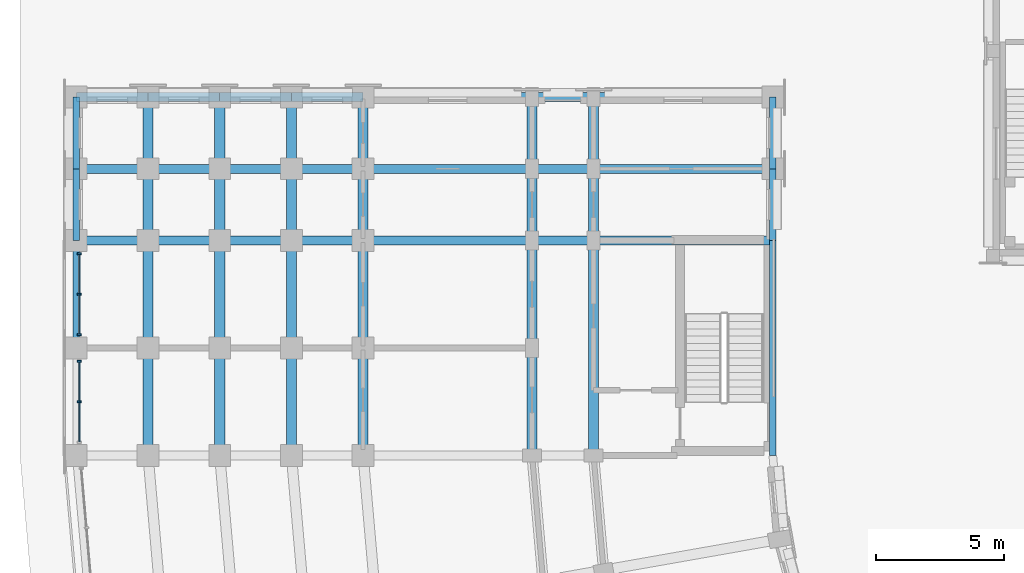
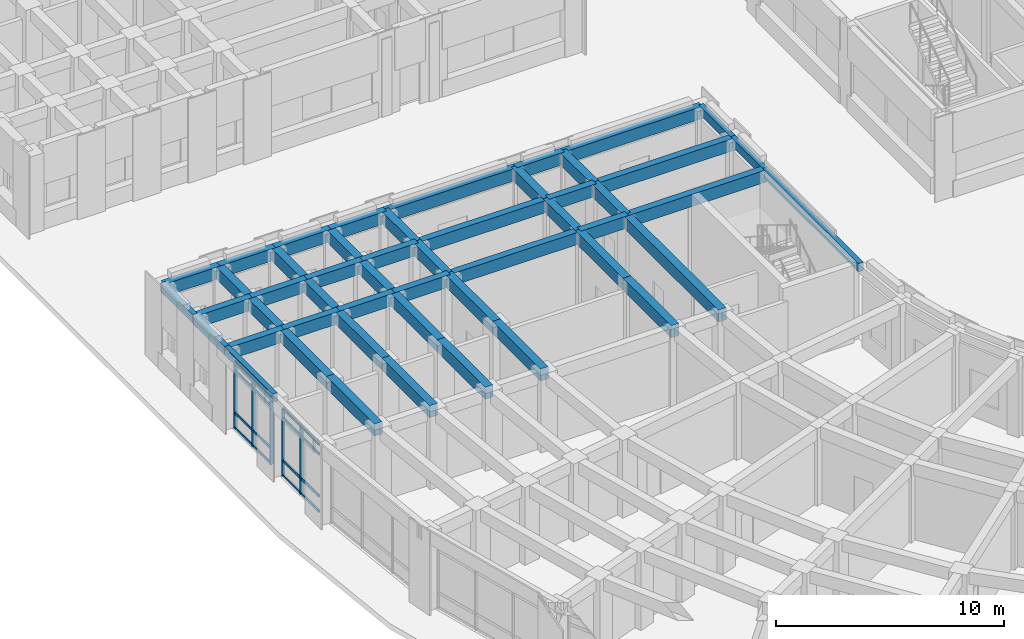
# One storey, part 21 of 135: 50 beams, 13 members, 2 elements without a shape of their own.
"""IFC4 building model written with IfcOpenShell, lengths in metres."""

import ifcopenshell
import ifcopenshell.guid

model = None  # the IFC model being written
_history = None  # IfcOwnerHistory: only IFC2X3 demands one
_inside = {}  # id of a spatial element -> (the spatial element, [elements in it])
_under = {}  # id of a project, library or spatial element -> (it, [spatial elements below it])
_declared = {}  # id of a project -> (the project, [libraries it declares])
_typed = {}  # id of a type object -> (the type object, [elements of that type])
_made_of = {}  # id of a material, layer set ... -> (it, [elements and type objects made of it])


def new_model(schema):
    """Start an empty IFC model of exactly this schema.

    Asked for "IFC4X3", IfcOpenShell would pick the latest addendum, in which some entities
    have other attributes; the version numbers below select the first issue.
    IFC2X3 requires an IfcOwnerHistory on every rooted entity: one is made here for all.
    """
    global model, _history
    if schema == "IFC4X3":
        model = ifcopenshell.file(schema_version=(4, 3, 0, 0))
    else:
        model = ifcopenshell.file(schema=schema)
    _inside.clear()
    _under.clear()
    _declared.clear()
    _typed.clear()
    _made_of.clear()
    _history = None
    if model.schema == "IFC2X3":
        org = make("IfcOrganization", Name="unknown")
        user = make(
            "IfcPersonAndOrganization",
            ThePerson=make("IfcPerson", FamilyName="unknown"),
            TheOrganization=org,
        )
        app = make(
            "IfcApplication",
            ApplicationDeveloper=org,
            Version="unknown",
            ApplicationFullName="unknown",
            ApplicationIdentifier="unknown",
        )
        _history = make(
            "IfcOwnerHistory",
            OwningUser=user,
            OwningApplication=app,
            ChangeAction="ADDED",
            CreationDate=0,
        )
    return model


def make(cls, **values):
    """One entity of the class cls with the attributes given. An attribute that is None is left unset."""
    return model.create_entity(
        cls, **{name: value for name, value in values.items() if value is not None}
    )


def rooted(cls, **values):
    """An entity with a GlobalId (a new one), such as an element, a storey or a relation."""
    return make(cls, GlobalId=ifcopenshell.guid.new(), OwnerHistory=_history, **values)


def si_unit(unit_type, name, prefix=None):
    """IfcSIUnit, for example si_unit("LENGTHUNIT", "METRE", prefix="MILLI")."""
    return make("IfcSIUnit", UnitType=unit_type, Prefix=prefix, Name=name)


def assignment(units):
    """IfcUnitAssignment: the units of a project."""
    return None if units is None else make("IfcUnitAssignment", Units=units)


def point(xyz):
    """IfcCartesianPoint."""
    return None if xyz is None else make("IfcCartesianPoint", Coordinates=xyz)


def direction(xyz):
    """IfcDirection."""
    return None if xyz is None else make("IfcDirection", DirectionRatios=xyz)


def frame(location, z_axis=None, x_axis=None):
    """IfcAxis2Placement3D, a coordinate frame: its origin and axes. An axis left out is left unset."""
    return make(
        "IfcAxis2Placement3D",
        Location=point(location),
        Axis=direction(z_axis),
        RefDirection=direction(x_axis),
    )


def frame_2d(location, x_axis=None):
    """IfcAxis2Placement2D, a coordinate frame in the plane: its origin and x axis."""
    return make(
        "IfcAxis2Placement2D", Location=point(location), RefDirection=direction(x_axis)
    )


def origin():
    """The frame at (0, 0, 0) with its axes left unset."""
    return frame((0.0, 0.0, 0.0))


def origin_2d():
    """The frame at (0, 0) in the plane with its x axis left unset."""
    return frame_2d((0.0, 0.0))


def place(relative_to, where):
    """IfcLocalPlacement: puts the frame where relative to a parent placement (None: the world)."""
    return make(
        "IfcLocalPlacement", PlacementRelTo=relative_to, RelativePlacement=where
    )


def context(
    kind, dimensions, precision=None, world=None, true_north=None, identifier=None
):
    """IfcGeometricRepresentationContext, for example the 3D "Model" context."""
    return make(
        "IfcGeometricRepresentationContext",
        ContextIdentifier=identifier,
        ContextType=kind,
        CoordinateSpaceDimension=dimensions,
        Precision=precision,
        WorldCoordinateSystem=world,
        TrueNorth=true_north,
    )


def subcontext(parent, identifier, kind, view, scale=None):
    """IfcGeometricRepresentationSubContext, for example "Body" below "Model"."""
    return make(
        "IfcGeometricRepresentationSubContext",
        ContextIdentifier=identifier,
        ContextType=kind,
        ParentContext=parent,
        TargetScale=scale,
        TargetView=view,
    )


def project(units=None, contexts=None):
    """IfcProject with its units and contexts."""
    return rooted(
        "IfcProject",
        Name="project",
        RepresentationContexts=contexts,
        UnitsInContext=assignment(units),
    )


def spatial(cls, under=None, at=None, **own):
    """A site, building, storey or space (cls), placed at a placement, below another one or the project."""
    s = rooted(cls, ObjectPlacement=at, **own)
    if under is not None:
        _under.setdefault(under.id(), (under, []))[1].append(s)
    return s


def profile(cls, at=None, kind="AREA", **sizes):
    """A parametric profile (cls). Its sizes go by their IFC names, for example OverallWidth=200.0."""
    return make(cls, ProfileType=kind, Position=at, **sizes)


def rectangle(**sizes):
    """IfcRectangleProfileDef."""
    return profile("IfcRectangleProfileDef", **sizes)


def extrude(swept, where, along, depth):
    """IfcExtrudedAreaSolid: the profile swept, set in the frame where, extruded along a direction by depth."""
    return make(
        "IfcExtrudedAreaSolid",
        SweptArea=swept,
        Position=where,
        ExtrudedDirection=direction(along),
        Depth=depth,
    )


def shape(context_of_items, identifier, shape_type, items):
    """IfcShapeRepresentation: the items that make up one representation, for example the "Body"."""
    return make(
        "IfcShapeRepresentation",
        ContextOfItems=context_of_items,
        RepresentationIdentifier=identifier,
        RepresentationType=shape_type,
        Items=items,
    )


def material(Name=None, Category=None):
    """IfcMaterial."""
    return make("IfcMaterial", Name=Name, Category=Category)


def material_profile(
    of_material, cross_section, Name=None, Category=None, Priority=None
):
    """IfcMaterialProfile: a cross section and its material."""
    return make(
        "IfcMaterialProfile",
        Name=Name,
        Material=of_material,
        Profile=cross_section,
        Priority=Priority,
        Category=Category,
    )


def profile_set(profiles, Name=None, composite=None):
    """IfcMaterialProfileSet."""
    return make(
        "IfcMaterialProfileSet",
        Name=Name,
        MaterialProfiles=profiles,
        CompositeProfile=composite,
    )


def made_of(thing, what):
    """Note that an element or type object is made of a material, layer set ...; save() writes the relation."""
    if what is not None:
        _made_of.setdefault(what.id(), (what, []))[1].append(thing)
    return thing


def type_object(cls, material=None, **own):
    """A type object (cls), such as IfcWallType, which elements share."""
    return made_of(rooted(cls, **own), material)


def element(
    cls,
    number,
    at=None,
    inside=None,
    cuts=None,
    type_object=None,
    material=None,
    context=None,
    identifier="Body",
    shape_type=None,
    held_by="IfcProductDefinitionShape",
    body=None,
    shapes=None,
    **own,
):
    """One element of the class cls, such as IfcWall. Its Tag is "e" and its number.

    at: its placement. inside: the storey or other place that contains it. cuts: it is an
    opening in that element (IfcRelVoidsElement). A single representation is given by context,
    identifier, shape_type and body (its items); several are given by shapes. held_by: the class
    of the entity that holds the representations. save() writes the other relations.
    """
    e = rooted(cls, Tag="e%d" % number, ObjectPlacement=at, **own)
    if body is not None:
        shapes = [shape(context, identifier, shape_type, body)]
    if shapes is not None:
        e.Representation = make(held_by, Representations=shapes)
    if inside is not None:
        _inside.setdefault(inside.id(), (inside, []))[1].append(e)
    if cuts is not None:
        rooted(
            "IfcRelVoidsElement", RelatingBuildingElement=cuts, RelatedOpeningElement=e
        )
    if type_object is not None:
        _typed.setdefault(type_object.id(), (type_object, []))[1].append(e)
    return made_of(e, material)


def aggregate(whole, parts):
    """IfcRelAggregates: a whole, such as a stair, and the parts it consists of."""
    return rooted("IfcRelAggregates", RelatingObject=whole, RelatedObjects=parts)


def save(model, path):
    """Write the relations noted so far, then the file.

    IfcRelAggregates (storeys below a building ...), IfcRelContainedInSpatialStructure (elements
    in a storey), IfcRelDefinesByType, IfcRelAssociatesMaterial and IfcRelDeclares: one each for
    every whole, place, type object, material and project.
    """
    for whole, parts in _under.values():
        aggregate(whole, parts)
    for where, things in _inside.values():
        rooted(
            "IfcRelContainedInSpatialStructure",
            RelatedElements=things,
            RelatingStructure=where,
        )
    for kind, things in _typed.values():
        rooted("IfcRelDefinesByType", RelatedObjects=things, RelatingType=kind)
    for what, things in _made_of.values():
        rooted("IfcRelAssociatesMaterial", RelatedObjects=things, RelatingMaterial=what)
    for by, libraries in _declared.values():
        rooted("IfcRelDeclares", RelatingContext=by, RelatedDefinitions=libraries)
    model.write(path)


model = new_model("IFC4")

# Units and contexts
model_context = context("Model", 3, precision=1e-05, world=origin(), true_north=direction((0.0, 1.0)))
body_context = subcontext(model_context, "Body", "Model", "MODEL_VIEW")
ifc_project = project(units=[si_unit("LENGTHUNIT", "METRE"), si_unit("AREAUNIT", "SQUARE_METRE"), si_unit("VOLUMEUNIT", "CUBIC_METRE"), si_unit("PLANEANGLEUNIT", "RADIAN"), si_unit("MASSUNIT", "GRAM", prefix="KILO")], contexts=[model_context])

# Site, building, storey
site_placement = place(None, origin())
site = spatial("IfcSite", under=ifc_project, at=site_placement, CompositionType="ELEMENT")
building_placement = place(site_placement, origin())
building = spatial("IfcBuilding", under=site, at=building_placement, Name="Kiranvali Square Residences", CompositionType="ELEMENT")
storey_placement = place(building_placement, origin())
storey = spatial("IfcBuildingStorey", under=building, at=storey_placement, Name="L00", CompositionType="ELEMENT", Elevation=0.0)

# Beams
ifc_material_1 = material(Name="Concrete M40 (40 MPa)", Category="concrete")
ifc_material_profile_1 = material_profile(ifc_material_1, rectangle(XDim=0.35009765625, YDim=0.64990234375, at=origin_2d()), Name="RC 350x650")
ifc_profile_set_1 = profile_set([ifc_material_profile_1], Name="Concrete M40 (40 MPa)")
beam_type_1 = type_object("IfcBeamType", Name="BM-M40-350x650", PredefinedType="BEAM", material=ifc_profile_set_1)
beam_1_placement = place(storey_placement, frame((29.39990234375, 56.60009765625, 3.824951171875), z_axis=(-1.0, 0.0, 0.0), x_axis=(0.0, -1.0, 0.0)))
element("IfcBeam", 1, at=beam_1_placement, inside=storey, type_object=beam_type_1, Name="L00 beam BM-C-L00-A2T1-01", PredefinedType="BEAM", context=body_context, shape_type="SweptSolid", body=[
    extrude(rectangle(XDim=0.35009765625, YDim=0.64990234375, at=origin_2d()), origin(), (0.0, 0.0, 1.0), 7.0),
])
beam_2_placement = place(storey_placement, frame((22.39990234375, 56.60009765625, 3.824951171875), z_axis=(-1.0, 0.0, 0.0), x_axis=(0.0, -1.0, 0.0)))
element("IfcBeam", 2, at=beam_2_placement, inside=storey, type_object=beam_type_1, Name="L00 beam BM-C-L00-A2T1-12", PredefinedType="BEAM", context=body_context, shape_type="SweptSolid", body=[
    extrude(rectangle(XDim=0.35009765625, YDim=0.64990234375, at=origin_2d()), origin(), (0.0, 0.0, 1.0), 2.39990234375),
])
beam_3_placement = place(storey_placement, frame((20.0, 56.60009765625, 3.824951171875), z_axis=(-1.0, 0.0, 0.0), x_axis=(0.0, -1.0, 0.0)))
element("IfcBeam", 3, at=beam_3_placement, inside=storey, type_object=beam_type_1, Name="L00 beam BM-C-L00-A2T1-23", PredefinedType="BEAM", context=body_context, shape_type="SweptSolid", body=[
    extrude(rectangle(XDim=0.35009765625, YDim=0.64990234375, at=origin_2d()), origin(), (0.0, 0.0, 1.0), 6.60009765625),
])
beam_4_placement = place(storey_placement, frame((13.39990234375, 56.60009765625, 3.824951171875), z_axis=(-1.0, 0.0, 0.0), x_axis=(0.0, -1.0, 0.0)))
element("IfcBeam", 4, at=beam_4_placement, inside=storey, type_object=beam_type_1, Name="L00 beam BM-C-L00-A2T1-34", PredefinedType="BEAM", context=body_context, shape_type="SweptSolid", body=[
    extrude(rectangle(XDim=0.35009765625, YDim=0.64990234375, at=origin_2d()), origin(), (0.0, 0.0, 1.0), 2.7998046875),
])
for number, where, z_axis, x_axis, name in (
    (5, (10.60009765625, 56.60009765625, 3.824951171875), (-1.0, 0.0, 0.0), (0.0, -1.0, 0.0), "L00 beam BM-C-L00-A2T1-45"),
    (6, (7.800048828125, 56.60009765625, 3.824951171875), (-1.0, 0.0, 0.0), (0.0, -1.0, 0.0), "L00 beam BM-C-L00-A2T1-56"),
    (7, (5.0, 56.60009765625, 3.824951171875), (-1.0, 0.0, 0.0), (0.0, -1.0, 0.0), "L00 beam BM-C-L00-A2T1-67"),
):
    element("IfcBeam", number, at=place(storey_placement, frame(where, z_axis=z_axis, x_axis=x_axis)), inside=storey, type_object=beam_type_1, Name=name, PredefinedType="BEAM", context=body_context, shape_type="SweptSolid", body=[
        extrude(rectangle(XDim=0.35009765625, YDim=0.64990234375, at=origin_2d()), origin(), (0.0, 0.0, 1.0), 2.800048828125),
    ])
beam_5_placement = place(storey_placement, frame((29.39990234375, 59.39990234375, 3.824951171875), z_axis=(-1.0, 0.0, 0.0), x_axis=(0.0, -1.0, 0.0)))
element("IfcBeam", 8, at=beam_5_placement, inside=storey, type_object=beam_type_1, Name="L00 beam BM-C-L00-A2T2-01", PredefinedType="BEAM", context=body_context, shape_type="SweptSolid", body=[
    extrude(rectangle(XDim=0.35009765625, YDim=0.64990234375, at=origin_2d()), origin(), (0.0, 0.0, 1.0), 7.0),
])
beam_6_placement = place(storey_placement, frame((22.39990234375, 59.39990234375, 3.824951171875), z_axis=(-1.0, 0.0, 0.0), x_axis=(0.0, -1.0, 0.0)))
element("IfcBeam", 9, at=beam_6_placement, inside=storey, type_object=beam_type_1, Name="L00 beam BM-C-L00-A2T2-12", PredefinedType="BEAM", context=body_context, shape_type="SweptSolid", body=[
    extrude(rectangle(XDim=0.35009765625, YDim=0.64990234375, at=origin_2d()), origin(), (0.0, 0.0, 1.0), 2.39990234375),
])
beam_7_placement = place(storey_placement, frame((20.0, 59.39990234375, 3.824951171875), z_axis=(-1.0, 0.0, 0.0), x_axis=(0.0, -1.0, 0.0)))
element("IfcBeam", 10, at=beam_7_placement, inside=storey, type_object=beam_type_1, Name="L00 beam BM-C-L00-A2T2-23", PredefinedType="BEAM", context=body_context, shape_type="SweptSolid", body=[
    extrude(rectangle(XDim=0.35009765625, YDim=0.64990234375, at=origin_2d()), origin(), (0.0, 0.0, 1.0), 6.60009765625),
])
beam_8_placement = place(storey_placement, frame((13.39990234375, 59.39990234375, 3.824951171875), z_axis=(-1.0, 0.0, 0.0), x_axis=(0.0, -1.0, 0.0)))
element("IfcBeam", 11, at=beam_8_placement, inside=storey, type_object=beam_type_1, Name="L00 beam BM-C-L00-A2T2-34", PredefinedType="BEAM", context=body_context, shape_type="SweptSolid", body=[
    extrude(rectangle(XDim=0.35009765625, YDim=0.64990234375, at=origin_2d()), origin(), (0.0, 0.0, 1.0), 2.7998046875),
])
for number, where, z_axis, x_axis, name in (
    (12, (10.60009765625, 59.39990234375, 3.824951171875), (-1.0, 0.0, 0.0), (0.0, -1.0, 0.0), "L00 beam BM-C-L00-A2T2-45"),
    (13, (7.800048828125, 59.39990234375, 3.824951171875), (-1.0, 0.0, 0.0), (0.0, -1.0, 0.0), "L00 beam BM-C-L00-A2T2-56"),
    (14, (5.0, 59.39990234375, 3.824951171875), (-1.0, 0.0, 0.0), (0.0, -1.0, 0.0), "L00 beam BM-C-L00-A2T2-67"),
):
    element("IfcBeam", number, at=place(storey_placement, frame(where, z_axis=z_axis, x_axis=x_axis)), inside=storey, type_object=beam_type_1, Name=name, PredefinedType="BEAM", context=body_context, shape_type="SweptSolid", body=[
        extrude(rectangle(XDim=0.35009765625, YDim=0.64990234375, at=origin_2d()), origin(), (0.0, 0.0, 1.0), 2.800048828125),
    ])
beam_9_placement = place(storey_placement, frame((29.39990234375, 62.199951171875, 3.824951171875), z_axis=(-1.0, 0.0, 0.0), x_axis=(0.0, -1.0, 0.0)))
element("IfcBeam", 15, at=beam_9_placement, inside=storey, type_object=beam_type_1, Name="L00 beam BM-C-L00-A2T3-01", PredefinedType="BEAM", context=body_context, shape_type="SweptSolid", body=[
    extrude(rectangle(XDim=0.35009765625, YDim=0.64990234375, at=origin_2d()), origin(), (0.0, 0.0, 1.0), 7.0),
])
beam_10_placement = place(storey_placement, frame((22.39990234375, 62.199951171875, 3.824951171875), z_axis=(-1.0, 0.0, 0.0), x_axis=(0.0, -1.0, 0.0)))
element("IfcBeam", 16, at=beam_10_placement, inside=storey, type_object=beam_type_1, Name="L00 beam BM-C-L00-A2T3-12", PredefinedType="BEAM", context=body_context, shape_type="SweptSolid", body=[
    extrude(rectangle(XDim=0.35009765625, YDim=0.64990234375, at=origin_2d()), origin(), (0.0, 0.0, 1.0), 2.39990234375),
])
beam_11_placement = place(storey_placement, frame((20.0, 62.199951171875, 3.824951171875), z_axis=(-1.0, 0.0, 0.0), x_axis=(0.0, -1.0, 0.0)))
element("IfcBeam", 17, at=beam_11_placement, inside=storey, type_object=beam_type_1, Name="L00 beam BM-C-L00-A2T3-23", PredefinedType="BEAM", context=body_context, shape_type="SweptSolid", body=[
    extrude(rectangle(XDim=0.35009765625, YDim=0.64990234375, at=origin_2d()), origin(), (0.0, 0.0, 1.0), 6.60009765625),
])
beam_12_placement = place(storey_placement, frame((13.39990234375, 62.199951171875, 3.824951171875), z_axis=(-1.0, 0.0, 0.0), x_axis=(0.0, -1.0, 0.0)))
element("IfcBeam", 18, at=beam_12_placement, inside=storey, type_object=beam_type_1, Name="L00 beam BM-C-L00-A2T3-34", PredefinedType="BEAM", context=body_context, shape_type="SweptSolid", body=[
    extrude(rectangle(XDim=0.35009765625, YDim=0.64990234375, at=origin_2d()), origin(), (0.0, 0.0, 1.0), 2.7998046875),
])
for number, where, z_axis, x_axis, name in (
    (19, (10.60009765625, 62.199951171875, 3.824951171875), (-1.0, 0.0, 0.0), (0.0, -1.0, 0.0), "L00 beam BM-C-L00-A2T3-45"),
    (20, (7.800048828125, 62.199951171875, 3.824951171875), (-1.0, 0.0, 0.0), (0.0, -1.0, 0.0), "L00 beam BM-C-L00-A2T3-56"),
    (21, (5.0, 62.199951171875, 3.824951171875), (-1.0, 0.0, 0.0), (0.0, -1.0, 0.0), "L00 beam BM-C-L00-A2T3-67"),
):
    element("IfcBeam", number, at=place(storey_placement, frame(where, z_axis=z_axis, x_axis=x_axis)), inside=storey, type_object=beam_type_1, Name=name, PredefinedType="BEAM", context=body_context, shape_type="SweptSolid", body=[
        extrude(rectangle(XDim=0.35009765625, YDim=0.64990234375, at=origin_2d()), origin(), (0.0, 0.0, 1.0), 2.800048828125),
    ])
ifc_material_2 = material(Name="Concrete M45 (45 MPa)", Category="concrete")
ifc_material_profile_2 = material_profile(ifc_material_2, rectangle(XDim=0.39990234375, YDim=0.64990234375, at=origin_2d()), Name="RC 400x650")
ifc_profile_set_2 = profile_set([ifc_material_profile_2], Name="Concrete M45 (45 MPa)")
beam_type_2 = type_object("IfcBeamType", Name="BM-M45-400x650", PredefinedType="BEAM", material=ifc_profile_set_2)
beam_13_placement = place(storey_placement, frame((22.39990234375, 48.199951171875, 3.824951171875), z_axis=(0.0, 1.0, 0.0), x_axis=(-1.0, 0.0, 0.0)))
element("IfcBeam", 22, at=beam_13_placement, inside=storey, type_object=beam_type_2, Name="L00 beam BM-C-L00-A2V0-R1", PredefinedType="BEAM", context=body_context, shape_type="SweptSolid", body=[
    extrude(rectangle(XDim=0.39990234375, YDim=0.64990234375, at=origin_2d()), origin(), (0.0, 0.0, 1.0), 8.400146484375),
])
beam_14_placement = place(storey_placement, frame((22.39990234375, 56.60009765625, 3.824951171875), z_axis=(0.0, 1.0, 0.0), x_axis=(-1.0, 0.0, 0.0)))
element("IfcBeam", 23, at=beam_14_placement, inside=storey, type_object=beam_type_2, Name="L00 beam BM-C-L00-A2V1-R1", PredefinedType="BEAM", context=body_context, shape_type="SweptSolid", body=[
    extrude(rectangle(XDim=0.39990234375, YDim=0.64990234375, at=origin_2d()), origin(), (0.0, 0.0, 1.0), 2.7998046875),
])
beam_15_placement = place(storey_placement, frame((22.39990234375, 59.39990234375, 3.824951171875), z_axis=(0.0, 1.0, 0.0), x_axis=(-1.0, 0.0, 0.0)))
element("IfcBeam", 24, at=beam_15_placement, inside=storey, type_object=beam_type_2, Name="L00 beam BM-C-L00-A2V2-R1", PredefinedType="BEAM", context=body_context, shape_type="SweptSolid", body=[
    extrude(rectangle(XDim=0.39990234375, YDim=0.64990234375, at=origin_2d()), origin(), (0.0, 0.0, 1.0), 2.800048828125),
])
beam_16_placement = place(storey_placement, frame((20.0, 48.199951171875, 3.824951171875), z_axis=(0.0, 1.0, 0.0), x_axis=(-1.0, 0.0, 0.0)))
element("IfcBeam", 25, at=beam_16_placement, inside=storey, type_object=beam_type_2, Name="L00 beam BM-C-L00-A2V0-R2", PredefinedType="BEAM", context=body_context, shape_type="SweptSolid", body=[
    extrude(rectangle(XDim=0.39990234375, YDim=0.64990234375, at=origin_2d()), origin(), (0.0, 0.0, 1.0), 4.199951171875),
])
beam_17_placement = place(storey_placement, frame((20.0, 52.39990234375, 3.824951171875), z_axis=(0.0, 1.0, 0.0), x_axis=(-1.0, 0.0, 0.0)))
element("IfcBeam", 26, at=beam_17_placement, inside=storey, type_object=beam_type_2, Name="L00 beam BM-C-L00-A2V1-R2", PredefinedType="BEAM", context=body_context, shape_type="SweptSolid", body=[
    extrude(rectangle(XDim=0.39990234375, YDim=0.64990234375, at=origin_2d()), origin(), (0.0, 0.0, 1.0), 4.2001953125),
])
beam_18_placement = place(storey_placement, frame((20.0, 56.60009765625, 3.824951171875), z_axis=(0.0, 1.0, 0.0), x_axis=(-1.0, 0.0, 0.0)))
element("IfcBeam", 27, at=beam_18_placement, inside=storey, type_object=beam_type_2, Name="L00 beam BM-C-L00-A2V2-R2", PredefinedType="BEAM", context=body_context, shape_type="SweptSolid", body=[
    extrude(rectangle(XDim=0.39990234375, YDim=0.64990234375, at=origin_2d()), origin(), (0.0, 0.0, 1.0), 2.7998046875),
])
beam_19_placement = place(storey_placement, frame((20.0, 59.39990234375, 3.824951171875), z_axis=(0.0, 1.0, 0.0), x_axis=(-1.0, 0.0, 0.0)))
element("IfcBeam", 28, at=beam_19_placement, inside=storey, type_object=beam_type_2, Name="L00 beam BM-C-L00-A2V3-R2", PredefinedType="BEAM", context=body_context, shape_type="SweptSolid", body=[
    extrude(rectangle(XDim=0.39990234375, YDim=0.64990234375, at=origin_2d()), origin(), (0.0, 0.0, 1.0), 2.800048828125),
])
beam_20_placement = place(storey_placement, frame((13.39990234375, 48.199951171875, 3.824951171875), z_axis=(0.0, 1.0, 0.0), x_axis=(-1.0, 0.0, 0.0)))
element("IfcBeam", 29, at=beam_20_placement, inside=storey, type_object=beam_type_2, Name="L00 beam BM-C-L00-A2V0-R3", PredefinedType="BEAM", context=body_context, shape_type="SweptSolid", body=[
    extrude(rectangle(XDim=0.39990234375, YDim=0.64990234375, at=origin_2d()), origin(), (0.0, 0.0, 1.0), 4.199951171875),
])
beam_21_placement = place(storey_placement, frame((13.39990234375, 52.39990234375, 3.824951171875), z_axis=(0.0, 1.0, 0.0), x_axis=(-1.0, 0.0, 0.0)))
element("IfcBeam", 30, at=beam_21_placement, inside=storey, type_object=beam_type_2, Name="L00 beam BM-C-L00-A2V1-R3", PredefinedType="BEAM", context=body_context, shape_type="SweptSolid", body=[
    extrude(rectangle(XDim=0.39990234375, YDim=0.64990234375, at=origin_2d()), origin(), (0.0, 0.0, 1.0), 4.2001953125),
])
beam_22_placement = place(storey_placement, frame((13.39990234375, 56.60009765625, 3.824951171875), z_axis=(0.0, 1.0, 0.0), x_axis=(-1.0, 0.0, 0.0)))
element("IfcBeam", 31, at=beam_22_placement, inside=storey, type_object=beam_type_2, Name="L00 beam BM-C-L00-A2V2-R3", PredefinedType="BEAM", context=body_context, shape_type="SweptSolid", body=[
    extrude(rectangle(XDim=0.39990234375, YDim=0.64990234375, at=origin_2d()), origin(), (0.0, 0.0, 1.0), 2.7998046875),
])
beam_23_placement = place(storey_placement, frame((13.39990234375, 59.39990234375, 3.824951171875), z_axis=(0.0, 1.0, 0.0), x_axis=(-1.0, 0.0, 0.0)))
element("IfcBeam", 32, at=beam_23_placement, inside=storey, type_object=beam_type_2, Name="L00 beam BM-C-L00-A2V3-R3", PredefinedType="BEAM", context=body_context, shape_type="SweptSolid", body=[
    extrude(rectangle(XDim=0.39990234375, YDim=0.64990234375, at=origin_2d()), origin(), (0.0, 0.0, 1.0), 2.800048828125),
])
beam_24_placement = place(storey_placement, frame((10.60009765625, 48.199951171875, 3.824951171875), z_axis=(0.0, 1.0, 0.0), x_axis=(-1.0, 0.0, 0.0)))
element("IfcBeam", 33, at=beam_24_placement, inside=storey, type_object=beam_type_2, Name="L00 beam BM-C-L00-A2V0-R4", PredefinedType="BEAM", context=body_context, shape_type="SweptSolid", body=[
    extrude(rectangle(XDim=0.39990234375, YDim=0.64990234375, at=origin_2d()), origin(), (0.0, 0.0, 1.0), 4.199951171875),
])
beam_25_placement = place(storey_placement, frame((10.60009765625, 52.39990234375, 3.824951171875), z_axis=(0.0, 1.0, 0.0), x_axis=(-1.0, 0.0, 0.0)))
element("IfcBeam", 34, at=beam_25_placement, inside=storey, type_object=beam_type_2, Name="L00 beam BM-C-L00-A2V1-R4", PredefinedType="BEAM", context=body_context, shape_type="SweptSolid", body=[
    extrude(rectangle(XDim=0.39990234375, YDim=0.64990234375, at=origin_2d()), origin(), (0.0, 0.0, 1.0), 4.2001953125),
])
beam_26_placement = place(storey_placement, frame((10.60009765625, 56.60009765625, 3.824951171875), z_axis=(0.0, 1.0, 0.0), x_axis=(-1.0, 0.0, 0.0)))
element("IfcBeam", 35, at=beam_26_placement, inside=storey, type_object=beam_type_2, Name="L00 beam BM-C-L00-A2V2-R4", PredefinedType="BEAM", context=body_context, shape_type="SweptSolid", body=[
    extrude(rectangle(XDim=0.39990234375, YDim=0.64990234375, at=origin_2d()), origin(), (0.0, 0.0, 1.0), 2.7998046875),
])
beam_27_placement = place(storey_placement, frame((10.60009765625, 59.39990234375, 3.824951171875), z_axis=(0.0, 1.0, 0.0), x_axis=(-1.0, 0.0, 0.0)))
element("IfcBeam", 36, at=beam_27_placement, inside=storey, type_object=beam_type_2, Name="L00 beam BM-C-L00-A2V3-R4", PredefinedType="BEAM", context=body_context, shape_type="SweptSolid", body=[
    extrude(rectangle(XDim=0.39990234375, YDim=0.64990234375, at=origin_2d()), origin(), (0.0, 0.0, 1.0), 2.800048828125),
])
beam_28_placement = place(storey_placement, frame((7.800048828125, 48.199951171875, 3.824951171875), z_axis=(0.0, 1.0, 0.0), x_axis=(-1.0, 0.0, 0.0)))
element("IfcBeam", 37, at=beam_28_placement, inside=storey, type_object=beam_type_2, Name="L00 beam BM-C-L00-A2V0-R5", PredefinedType="BEAM", context=body_context, shape_type="SweptSolid", body=[
    extrude(rectangle(XDim=0.39990234375, YDim=0.64990234375, at=origin_2d()), origin(), (0.0, 0.0, 1.0), 4.199951171875),
])
beam_29_placement = place(storey_placement, frame((7.800048828125, 52.39990234375, 3.824951171875), z_axis=(0.0, 1.0, 0.0), x_axis=(-1.0, 0.0, 0.0)))
element("IfcBeam", 38, at=beam_29_placement, inside=storey, type_object=beam_type_2, Name="L00 beam BM-C-L00-A2V1-R5", PredefinedType="BEAM", context=body_context, shape_type="SweptSolid", body=[
    extrude(rectangle(XDim=0.39990234375, YDim=0.64990234375, at=origin_2d()), origin(), (0.0, 0.0, 1.0), 4.2001953125),
])
beam_30_placement = place(storey_placement, frame((7.800048828125, 56.60009765625, 3.824951171875), z_axis=(0.0, 1.0, 0.0), x_axis=(-1.0, 0.0, 0.0)))
element("IfcBeam", 39, at=beam_30_placement, inside=storey, type_object=beam_type_2, Name="L00 beam BM-C-L00-A2V2-R5", PredefinedType="BEAM", context=body_context, shape_type="SweptSolid", body=[
    extrude(rectangle(XDim=0.39990234375, YDim=0.64990234375, at=origin_2d()), origin(), (0.0, 0.0, 1.0), 2.7998046875),
])
beam_31_placement = place(storey_placement, frame((7.800048828125, 59.39990234375, 3.824951171875), z_axis=(0.0, 1.0, 0.0), x_axis=(-1.0, 0.0, 0.0)))
element("IfcBeam", 40, at=beam_31_placement, inside=storey, type_object=beam_type_2, Name="L00 beam BM-C-L00-A2V3-R5", PredefinedType="BEAM", context=body_context, shape_type="SweptSolid", body=[
    extrude(rectangle(XDim=0.39990234375, YDim=0.64990234375, at=origin_2d()), origin(), (0.0, 0.0, 1.0), 2.800048828125),
])
beam_32_placement = place(storey_placement, frame((5.0, 48.199951171875, 3.824951171875), z_axis=(0.0, 1.0, 0.0), x_axis=(-1.0, 0.0, 0.0)))
element("IfcBeam", 41, at=beam_32_placement, inside=storey, type_object=beam_type_2, Name="L00 beam BM-C-L00-A2V0-R6", PredefinedType="BEAM", context=body_context, shape_type="SweptSolid", body=[
    extrude(rectangle(XDim=0.39990234375, YDim=0.64990234375, at=origin_2d()), origin(), (0.0, 0.0, 1.0), 4.199951171875),
])
beam_33_placement = place(storey_placement, frame((5.0, 52.39990234375, 3.824951171875), z_axis=(0.0, 1.0, 0.0), x_axis=(-1.0, 0.0, 0.0)))
element("IfcBeam", 42, at=beam_33_placement, inside=storey, type_object=beam_type_2, Name="L00 beam BM-C-L00-A2V1-R6", PredefinedType="BEAM", context=body_context, shape_type="SweptSolid", body=[
    extrude(rectangle(XDim=0.39990234375, YDim=0.64990234375, at=origin_2d()), origin(), (0.0, 0.0, 1.0), 4.2001953125),
])
beam_34_placement = place(storey_placement, frame((5.0, 56.60009765625, 3.824951171875), z_axis=(0.0, 1.0, 0.0), x_axis=(-1.0, 0.0, 0.0)))
element("IfcBeam", 43, at=beam_34_placement, inside=storey, type_object=beam_type_2, Name="L00 beam BM-C-L00-A2V2-R6", PredefinedType="BEAM", context=body_context, shape_type="SweptSolid", body=[
    extrude(rectangle(XDim=0.39990234375, YDim=0.64990234375, at=origin_2d()), origin(), (0.0, 0.0, 1.0), 2.7998046875),
])
beam_35_placement = place(storey_placement, frame((5.0, 59.39990234375, 3.824951171875), z_axis=(0.0, 1.0, 0.0), x_axis=(-1.0, 0.0, 0.0)))
element("IfcBeam", 44, at=beam_35_placement, inside=storey, type_object=beam_type_2, Name="L00 beam BM-C-L00-A2V3-R6", PredefinedType="BEAM", context=body_context, shape_type="SweptSolid", body=[
    extrude(rectangle(XDim=0.39990234375, YDim=0.64990234375, at=origin_2d()), origin(), (0.0, 0.0, 1.0), 2.800048828125),
])

# Curtain wall, members
ifc_material_3 = material(Name="Anodised bronze aluminium framing", Category="aluminium")
curtain_wall_type = type_object("IfcCurtainWallType", Name="CW-RET-SHOP", PredefinedType="USERDEFINED", material=ifc_material_3)
curtain_wall_1_placement = place(storey_placement, origin())
curtain_wall_1 = element("IfcCurtainWall", 45, at=curtain_wall_1_placement, inside=storey, type_object=curtain_wall_type, Name="L00 curtain wall CW-C-L00-A2-0", ObjectType="CURTAIN WALL", PredefinedType="USERDEFINED")
ifc_material_profile_3 = material_profile(ifc_material_3, rectangle(XDim=0.06494140625, YDim=0.159912109375, at=origin_2d()), Name="ALU 65x160")
ifc_profile_set_3 = profile_set([ifc_material_profile_3], Name="Anodised bronze aluminium framing")
member_type_1 = type_object("IfcMemberType", Name="CW-MUL-160", PredefinedType="MULLION", material=ifc_profile_set_3)
member_1_placement = place(storey_placement, frame((2.320068359375, 50.300048828125, 0.02001953125), z_axis=(0.0, 0.0, 1.0), x_axis=(0.0, 1.0, 0.0)))
member_1 = element("IfcMember", 46, at=member_1_placement, type_object=member_type_1, Name="CW-C-L00-A2-0 vertical mullion 2", PredefinedType="MULLION", context=body_context, shape_type="SweptSolid", body=[
    extrude(rectangle(XDim=0.06494140625, YDim=0.159912109375, at=origin_2d()), origin(), (0.0, 0.0, 1.0), 3.60986328125),
])
member_2_placement = place(storey_placement, frame((2.320068359375, 51.8798828125, 0.02001953125), z_axis=(0.0, 0.0, 1.0), x_axis=(0.0, 1.0, 0.0)))
member_2 = element("IfcMember", 47, at=member_2_placement, type_object=member_type_1, Name="CW-C-L00-A2-0 vertical mullion 3", PredefinedType="MULLION", context=body_context, shape_type="SweptSolid", body=[
    extrude(rectangle(XDim=0.06494140625, YDim=0.159912109375, at=origin_2d()), origin(), (0.0, 0.0, 1.0), 3.60986328125),
])

curtain_wall_2_placement = place(storey_placement, origin())
curtain_wall_2 = element("IfcCurtainWall", 48, at=curtain_wall_2_placement, inside=storey, type_object=curtain_wall_type, Name="L00 curtain wall CW-C-L00-A2-1", ObjectType="CURTAIN WALL", PredefinedType="USERDEFINED")
member_3_placement = place(storey_placement, frame((2.320068359375, 52.919921875, 0.02001953125), z_axis=(0.0, 0.0, 1.0), x_axis=(0.0, 1.0, 0.0)))
member_3 = element("IfcMember", 49, at=member_3_placement, type_object=member_type_1, Name="CW-C-L00-A2-1 vertical mullion 1", PredefinedType="MULLION", context=body_context, shape_type="SweptSolid", body=[
    extrude(rectangle(XDim=0.06494140625, YDim=0.159912109375, at=origin_2d()), origin(), (0.0, 0.0, 1.0), 3.60986328125),
])
member_4_placement = place(storey_placement, frame((2.320068359375, 54.5, 0.02001953125), z_axis=(0.0, 0.0, 1.0), x_axis=(0.0, 1.0, 0.0)))
member_4 = element("IfcMember", 50, at=member_4_placement, type_object=member_type_1, Name="CW-C-L00-A2-1 vertical mullion 2", PredefinedType="MULLION", context=body_context, shape_type="SweptSolid", body=[
    extrude(rectangle(XDim=0.06494140625, YDim=0.159912109375, at=origin_2d()), origin(), (0.0, 0.0, 1.0), 3.60986328125),
])
member_5_placement = place(storey_placement, frame((2.320068359375, 56.080078125, 0.02001953125), z_axis=(0.0, 0.0, 1.0), x_axis=(0.0, 1.0, 0.0)))
member_5 = element("IfcMember", 51, at=member_5_placement, type_object=member_type_1, Name="CW-C-L00-A2-1 vertical mullion 3", PredefinedType="MULLION", context=body_context, shape_type="SweptSolid", body=[
    extrude(rectangle(XDim=0.06494140625, YDim=0.159912109375, at=origin_2d()), origin(), (0.0, 0.0, 1.0), 3.60986328125),
])

# Member
ifc_material_profile_4 = material_profile(ifc_material_3, rectangle(XDim=0.06494140625, YDim=0.139892578125, at=origin_2d()), Name="ALU 65x140")
ifc_profile_set_4 = profile_set([ifc_material_profile_4], Name="Anodised bronze aluminium framing")
member_type_2 = type_object("IfcMemberType", Name="CW-TRN-140", PredefinedType="MULLION", material=ifc_profile_set_4)
member_6_placement = place(storey_placement, frame((2.320068359375, 48.72998046875, 0.0400390625), z_axis=(0.0, 1.0, 0.0), x_axis=(-1.0, 0.0, 0.0)))
member_6 = element("IfcMember", 52, at=member_6_placement, type_object=member_type_2, Name="CW-C-L00-A2-0 horizontal transom 1", PredefinedType="MULLION", context=body_context, shape_type="SweptSolid", body=[
    extrude(rectangle(XDim=0.06494140625, YDim=0.139892578125, at=origin_2d()), origin(), (0.0, 0.0, 1.0), 3.14013671875),
])

member_7_placement = place(storey_placement, frame((2.320068359375, 48.72998046875, 0.85009765625), z_axis=(0.0, 1.0, 0.0), x_axis=(-1.0, 0.0, 0.0)))
member_7 = element("IfcMember", 53, at=member_7_placement, type_object=member_type_2, Name="CW-C-L00-A2-0 horizontal transom 2", PredefinedType="MULLION", context=body_context, shape_type="SweptSolid", body=[
    extrude(rectangle(XDim=0.06494140625, YDim=0.139892578125, at=origin_2d()), origin(), (0.0, 0.0, 1.0), 3.14013671875),
])

member_8_placement = place(storey_placement, frame((2.320068359375, 48.72998046875, 3.10009765625), z_axis=(0.0, 1.0, 0.0), x_axis=(-1.0, 0.0, 0.0)))
member_8 = element("IfcMember", 54, at=member_8_placement, type_object=member_type_2, Name="CW-C-L00-A2-0 horizontal transom 3", PredefinedType="MULLION", context=body_context, shape_type="SweptSolid", body=[
    extrude(rectangle(XDim=0.06494140625, YDim=0.139892578125, at=origin_2d()), origin(), (0.0, 0.0, 1.0), 3.14013671875),
])

member_9_placement = place(storey_placement, frame((2.320068359375, 48.72998046875, 3.610107421875), z_axis=(0.0, 1.0, 0.0), x_axis=(-1.0, 0.0, 0.0)))
member_9 = element("IfcMember", 55, at=member_9_placement, type_object=member_type_2, Name="CW-C-L00-A2-0 horizontal transom 4", PredefinedType="MULLION", context=body_context, shape_type="SweptSolid", body=[
    extrude(rectangle(XDim=0.06494140625, YDim=0.139892578125, at=origin_2d()), origin(), (0.0, 0.0, 1.0), 3.14013671875),
])

aggregate(curtain_wall_1, [member_1, member_2, member_6, member_7, member_8, member_9])

member_10_placement = place(storey_placement, frame((2.320068359375, 52.929931640625, 0.0400390625), z_axis=(0.0, 1.0, 0.0), x_axis=(-1.0, 0.0, 0.0)))
member_10 = element("IfcMember", 56, at=member_10_placement, type_object=member_type_2, Name="CW-C-L00-A2-1 horizontal transom 1", PredefinedType="MULLION", context=body_context, shape_type="SweptSolid", body=[
    extrude(rectangle(XDim=0.06494140625, YDim=0.139892578125, at=origin_2d()), origin(), (0.0, 0.0, 1.0), 3.14013671875),
])

member_11_placement = place(storey_placement, frame((2.320068359375, 52.929931640625, 0.85009765625), z_axis=(0.0, 1.0, 0.0), x_axis=(-1.0, 0.0, 0.0)))
member_11 = element("IfcMember", 57, at=member_11_placement, type_object=member_type_2, Name="CW-C-L00-A2-1 horizontal transom 2", PredefinedType="MULLION", context=body_context, shape_type="SweptSolid", body=[
    extrude(rectangle(XDim=0.06494140625, YDim=0.139892578125, at=origin_2d()), origin(), (0.0, 0.0, 1.0), 3.14013671875),
])

member_12_placement = place(storey_placement, frame((2.320068359375, 52.929931640625, 3.10009765625), z_axis=(0.0, 1.0, 0.0), x_axis=(-1.0, 0.0, 0.0)))
member_12 = element("IfcMember", 58, at=member_12_placement, type_object=member_type_2, Name="CW-C-L00-A2-1 horizontal transom 3", PredefinedType="MULLION", context=body_context, shape_type="SweptSolid", body=[
    extrude(rectangle(XDim=0.06494140625, YDim=0.139892578125, at=origin_2d()), origin(), (0.0, 0.0, 1.0), 3.14013671875),
])

member_13_placement = place(storey_placement, frame((2.320068359375, 52.929931640625, 3.610107421875), z_axis=(0.0, 1.0, 0.0), x_axis=(-1.0, 0.0, 0.0)))
member_13 = element("IfcMember", 59, at=member_13_placement, type_object=member_type_2, Name="CW-C-L00-A2-1 horizontal transom 4", PredefinedType="MULLION", context=body_context, shape_type="SweptSolid", body=[
    extrude(rectangle(XDim=0.06494140625, YDim=0.139892578125, at=origin_2d()), origin(), (0.0, 0.0, 1.0), 3.14013671875),
])

aggregate(curtain_wall_2, [member_3, member_4, member_5, member_10, member_11, member_12, member_13])

# Beams
ifc_material_profile_5 = material_profile(ifc_material_1, rectangle(XDim=0.25, YDim=0.449951171875, at=origin_2d()), Name="RC 250x450")
ifc_profile_set_5 = profile_set([ifc_material_profile_5], Name="Concrete M40 (40 MPa)")
beam_type_3 = type_object("IfcBeamType", Name="SPN-M40-250x450", PredefinedType="SPANDREL", material=ifc_profile_set_5)
beam_36_placement = place(storey_placement, frame((29.39990234375, 48.199951171875, 3.925048828125), z_axis=(0.0, 1.0, 0.0), x_axis=(-1.0, 0.0, 0.0)))
element("IfcBeam", 60, at=beam_36_placement, inside=storey, type_object=beam_type_3, Name="L00 beam BM-C-L00-A2V0-R0", PredefinedType="SPANDREL", context=body_context, shape_type="SweptSolid", body=[
    extrude(rectangle(XDim=0.25, YDim=0.449951171875, at=origin_2d()), origin(), (0.0, 0.0, 1.0), 8.400146484375),
])
beam_37_placement = place(storey_placement, frame((29.39990234375, 56.60009765625, 3.925048828125), z_axis=(0.0, 1.0, 0.0), x_axis=(-1.0, 0.0, 0.0)))
element("IfcBeam", 61, at=beam_37_placement, inside=storey, type_object=beam_type_3, Name="L00 beam BM-C-L00-A2V1-R0", PredefinedType="SPANDREL", context=body_context, shape_type="SweptSolid", body=[
    extrude(rectangle(XDim=0.25, YDim=0.449951171875, at=origin_2d()), origin(), (0.0, 0.0, 1.0), 2.7998046875),
])
beam_38_placement = place(storey_placement, frame((29.39990234375, 59.39990234375, 3.925048828125), z_axis=(0.0, 1.0, 0.0), x_axis=(-1.0, 0.0, 0.0)))
element("IfcBeam", 62, at=beam_38_placement, inside=storey, type_object=beam_type_3, Name="L00 beam BM-C-L00-A2V2-R0", PredefinedType="SPANDREL", context=body_context, shape_type="SweptSolid", body=[
    extrude(rectangle(XDim=0.25, YDim=0.449951171875, at=origin_2d()), origin(), (0.0, 0.0, 1.0), 2.800048828125),
])
beam_39_placement = place(storey_placement, frame((2.199951171875, 52.39990234375, 3.925048828125), z_axis=(0.0, 1.0, 0.0), x_axis=(-1.0, 0.0, 0.0)))
element("IfcBeam", 63, at=beam_39_placement, inside=storey, type_object=beam_type_3, Name="L00 beam BM-C-L00-A2V1-R7", PredefinedType="SPANDREL", context=body_context, shape_type="SweptSolid", body=[
    extrude(rectangle(XDim=0.25, YDim=0.449951171875, at=origin_2d()), origin(), (0.0, 0.0, 1.0), 4.2001953125),
])
beam_40_placement = place(storey_placement, frame((2.199951171875, 56.60009765625, 3.925048828125), z_axis=(0.0, 1.0, 0.0), x_axis=(-1.0, 0.0, 0.0)))
element("IfcBeam", 64, at=beam_40_placement, inside=storey, type_object=beam_type_3, Name="L00 beam BM-C-L00-A2V2-R7", PredefinedType="SPANDREL", context=body_context, shape_type="SweptSolid", body=[
    extrude(rectangle(XDim=0.25, YDim=0.449951171875, at=origin_2d()), origin(), (0.0, 0.0, 1.0), 2.7998046875),
])
beam_41_placement = place(storey_placement, frame((2.199951171875, 59.39990234375, 3.925048828125), z_axis=(0.0, 1.0, 0.0), x_axis=(-1.0, 0.0, 0.0)))
element("IfcBeam", 65, at=beam_41_placement, inside=storey, type_object=beam_type_3, Name="L00 beam BM-C-L00-A2V3-R7", PredefinedType="SPANDREL", context=body_context, shape_type="SweptSolid", body=[
    extrude(rectangle(XDim=0.25, YDim=0.449951171875, at=origin_2d()), origin(), (0.0, 0.0, 1.0), 2.800048828125),
])

save(model, "model.ifc")
